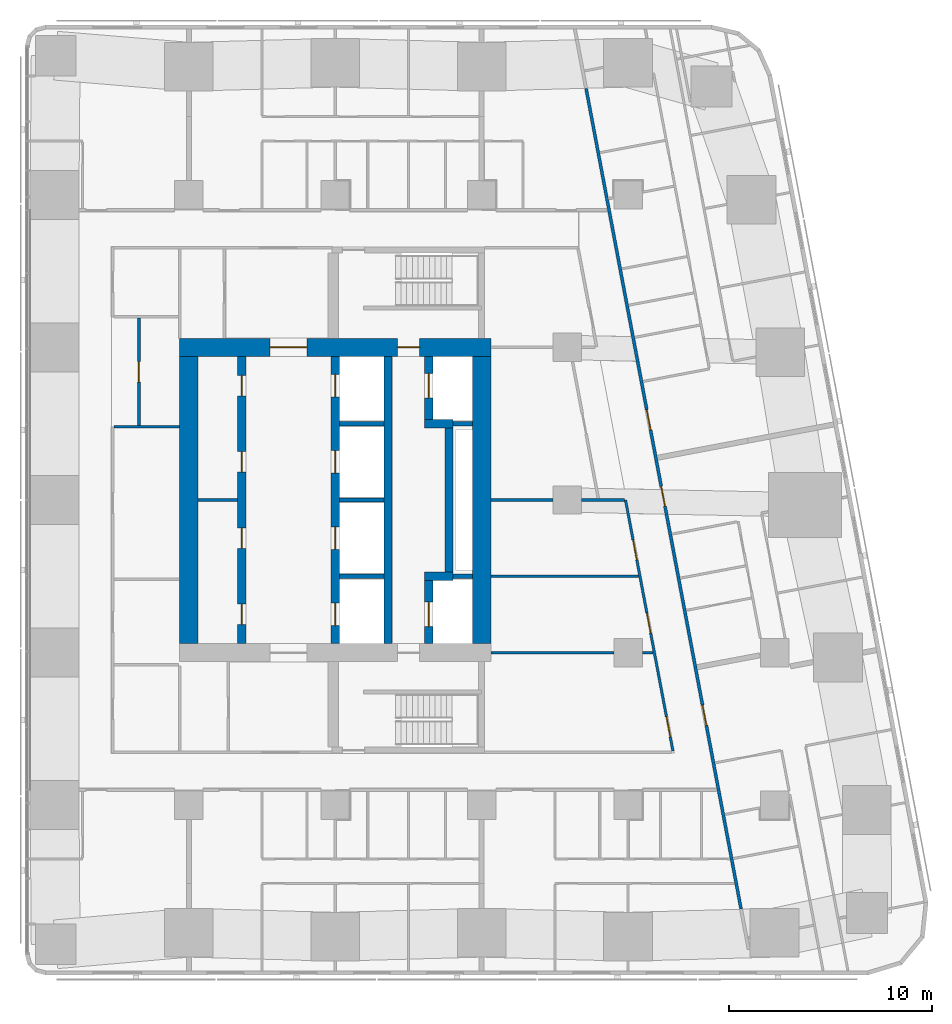
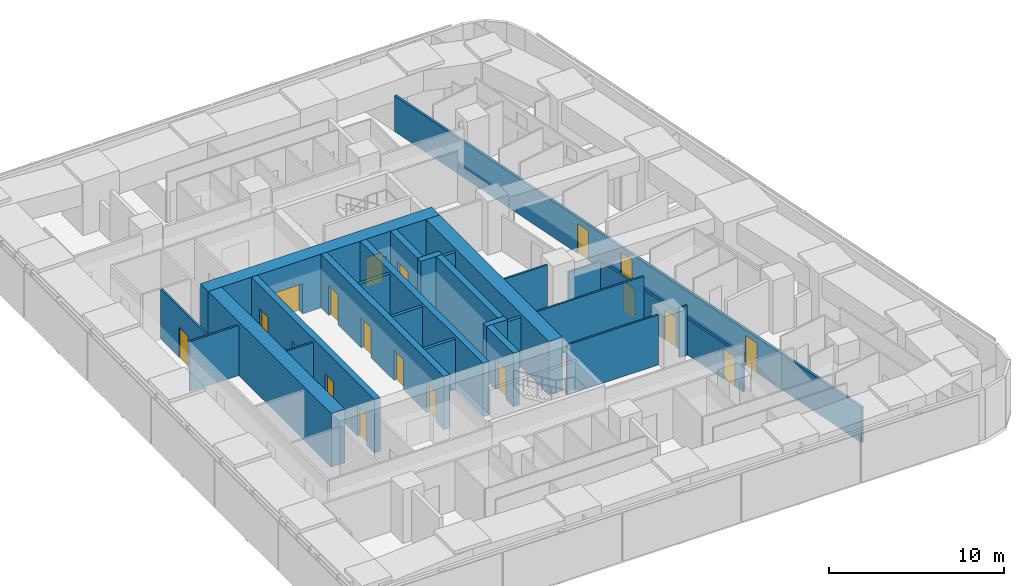
# One storey, part 12 of 19: 26 walls, 19 doors, 19 openings.
"""IFC4 building model written with IfcOpenShell, lengths in metres."""

from ifc_helpers import new_model, si_unit, direction, frame, frame_2d, origin, place, context, subcontext, project, spatial, rectangle, extrude, material, layer, layer_set, type_object, element, fill, save


model = new_model("IFC4")

# Units and contexts
model_context = context("Model", 3, precision=1e-05, world=origin(), true_north=direction((0.0, 1.0)))
body_context = subcontext(model_context, "Body", "Model", "MODEL_VIEW")
ifc_project = project(units=[si_unit("LENGTHUNIT", "METRE"), si_unit("AREAUNIT", "SQUARE_METRE"), si_unit("VOLUMEUNIT", "CUBIC_METRE"), si_unit("PLANEANGLEUNIT", "RADIAN"), si_unit("MASSUNIT", "GRAM", prefix="KILO")], contexts=[model_context])

# Site, building, storey
site_placement = place(None, origin())
site = spatial("IfcSite", under=ifc_project, at=site_placement, CompositionType="ELEMENT")
building_placement = place(site_placement, origin())
building = spatial("IfcBuilding", under=site, at=building_placement, Name="Sheger Commons Tower", CompositionType="ELEMENT")
storey_placement = place(building_placement, frame((0.0, 0.0, 197.449951171875)))
storey = spatial("IfcBuildingStorey", under=building, at=storey_placement, Name="L50", CompositionType="ELEMENT", Elevation=197.449951171875)

# Wall, openings, doors
ifc_material_1 = material(Name="Concrete C50/60", Category="concrete")
ifc_layer_1 = layer(ifc_material_1, 0.39990234375)
ifc_layer_set_1 = layer_set([ifc_layer_1], Name="CORE INNER WALL 400")
wall_type_1 = type_object("IfcWallType", Name="CORE INNER WALL 400", PredefinedType="SHEAR", material=ifc_layer_set_1)
wall_1_placement = place(storey_placement, frame((17.0, 15.449951171875, 0.0), z_axis=(0.0, 0.0, 1.0), x_axis=(0.0, 1.0, 0.0)))
wall_1 = element("IfcWall", 1, at=wall_1_placement, inside=storey, type_object=wall_type_1, Name="Core inner wall A L50", PredefinedType="SHEAR", context=body_context, shape_type="SweptSolid", body=[
    extrude(rectangle(XDim=14.10009765625, YDim=0.39990234375, at=frame_2d((7.050048828125, 0.0))), origin(), (0.0, 0.0, 1.0), 3.75),
])
opening_1_placement = place(wall_1_placement, frame((0.925048828125, 0.0, 0.0)))
opening_1 = element("IfcOpeningElement", 2, at=opening_1_placement, cuts=wall_1, Name="Opening D4", PredefinedType="OPENING", context=body_context, shape_type="SweptSolid", body=[
    extrude(rectangle(XDim=1.0, YDim=2.10009765625, at=frame_2d((0.5, 1.050048828125))), frame((0.0, 0.2099609375, 0.0), z_axis=(0.0, -1.0, 0.0), x_axis=(1.0, 0.0, 0.0)), (0.0, 0.0, 1.0), 0.419921875),
])
opening_2_placement = place(wall_1_placement, frame((4.675048828125, 0.0, 0.0)))
opening_2 = element("IfcOpeningElement", 3, at=opening_2_placement, cuts=wall_1, Name="Opening D4", PredefinedType="OPENING", context=body_context, shape_type="SweptSolid", body=[
    extrude(rectangle(XDim=1.0, YDim=2.10009765625, at=frame_2d((0.5, 1.050048828125))), frame((0.0, 0.2099609375, 0.0), z_axis=(0.0, -1.0, 0.0), x_axis=(1.0, 0.0, 0.0)), (0.0, 0.0, 1.0), 0.419921875),
])
opening_3_placement = place(wall_1_placement, frame((8.425048828125, 0.0, 0.0)))
opening_3 = element("IfcOpeningElement", 4, at=opening_3_placement, cuts=wall_1, Name="Opening D4", PredefinedType="OPENING", context=body_context, shape_type="SweptSolid", body=[
    extrude(rectangle(XDim=1.0, YDim=2.10009765625, at=frame_2d((0.5, 1.050048828125))), frame((0.0, 0.2099609375, 0.0), z_axis=(0.0, -1.0, 0.0), x_axis=(1.0, 0.0, 0.0)), (0.0, 0.0, 1.0), 0.419921875),
])
opening_4_placement = place(wall_1_placement, frame((12.175048828125, 0.0, 0.0)))
opening_4 = element("IfcOpeningElement", 5, at=opening_4_placement, cuts=wall_1, Name="Opening D4", PredefinedType="OPENING", context=body_context, shape_type="SweptSolid", body=[
    extrude(rectangle(XDim=1.0, YDim=2.10009765625, at=frame_2d((0.5, 1.050048828125))), frame((0.0, 0.2099609375, 0.0), z_axis=(0.0, -1.0, 0.0), x_axis=(1.0, 0.0, 0.0)), (0.0, 0.0, 1.0), 0.419921875),
])
ifc_material_2 = material(Name="Steel door set, fire rated", Category="steel")
door_type_1 = type_object("IfcDoorType", Name="SERVICE DOOR 1000x2100", OperationType="NOTDEFINED", PredefinedType="DOOR", material=ifc_material_2)
door_1_placement = place(opening_1_placement, origin())
door_1 = element("IfcDoor", 6, at=door_1_placement, inside=storey, type_object=door_type_1, Name="Residents' bulky goods store door", OperationType="SINGLE_SWING_LEFT", OverallHeight=2.10009765625, OverallWidth=1.0, PredefinedType="DOOR", context=body_context, shape_type="SweptSolid", body=[
    extrude(rectangle(XDim=1.0, YDim=2.10009765625, at=frame_2d((0.5, 1.050048828125))), frame((0.0, 0.02490234375, 0.0), z_axis=(0.0, -1.0, 0.0), x_axis=(1.0, 0.0, 0.0)), (0.0, 0.0, 1.0), 0.050048828125),
])
fill(opening_1, door_1)
door_2_placement = place(opening_2_placement, origin())
door_2 = element("IfcDoor", 7, at=door_2_placement, inside=storey, type_object=door_type_1, Name="Residents' bulky goods store door", OperationType="SINGLE_SWING_RIGHT", OverallHeight=2.10009765625, OverallWidth=1.0, PredefinedType="DOOR", context=body_context, shape_type="SweptSolid", body=[
    extrude(rectangle(XDim=1.0, YDim=2.10009765625, at=frame_2d((0.5, 1.050048828125))), frame((0.0, 0.02490234375, 0.0), z_axis=(0.0, -1.0, 0.0), x_axis=(1.0, 0.0, 0.0)), (0.0, 0.0, 1.0), 0.050048828125),
])
fill(opening_2, door_2)
door_3_placement = place(opening_3_placement, origin())
door_3 = element("IfcDoor", 8, at=door_3_placement, inside=storey, type_object=door_type_1, Name="Maintenance workshop door", OperationType="SINGLE_SWING_LEFT", OverallHeight=2.10009765625, OverallWidth=1.0, PredefinedType="DOOR", context=body_context, shape_type="SweptSolid", body=[
    extrude(rectangle(XDim=1.0, YDim=2.10009765625, at=frame_2d((0.5, 1.050048828125))), frame((0.0, 0.02490234375, 0.0), z_axis=(0.0, -1.0, 0.0), x_axis=(1.0, 0.0, 0.0)), (0.0, 0.0, 1.0), 0.050048828125),
])
fill(opening_3, door_3)
door_4_placement = place(opening_4_placement, origin())
door_4 = element("IfcDoor", 9, at=door_4_placement, inside=storey, type_object=door_type_1, Name="Maintenance workshop door", OperationType="SINGLE_SWING_RIGHT", OverallHeight=2.10009765625, OverallWidth=1.0, PredefinedType="DOOR", context=body_context, shape_type="SweptSolid", body=[
    extrude(rectangle(XDim=1.0, YDim=2.10009765625, at=frame_2d((0.5, 1.050048828125))), frame((0.0, 0.02490234375, 0.0), z_axis=(0.0, -1.0, 0.0), x_axis=(1.0, 0.0, 0.0)), (0.0, 0.0, 1.0), 0.050048828125),
])
fill(opening_4, door_4)

wall_2_placement = place(storey_placement, frame((21.60009765625, 15.449951171875, 0.0), z_axis=(0.0, 0.0, 1.0), x_axis=(0.0, 1.0, 0.0)))
wall_2 = element("IfcWall", 10, at=wall_2_placement, inside=storey, type_object=wall_type_1, Name="Core inner wall L L50", PredefinedType="SHEAR", context=body_context, shape_type="SweptSolid", body=[
    extrude(rectangle(XDim=14.10009765625, YDim=0.39990234375, at=frame_2d((7.050048828125, 0.0))), origin(), (0.0, 0.0, 1.0), 3.75),
])
opening_5_placement = place(wall_2_placement, frame((0.875, 0.0, 0.0)))
opening_5 = element("IfcOpeningElement", 11, at=opening_5_placement, cuts=wall_2, Name="Opening LD", PredefinedType="OPENING", context=body_context, shape_type="SweptSolid", body=[
    extrude(rectangle(XDim=1.10009765625, YDim=2.10009765625, at=frame_2d((0.550048828125, 1.050048828125))), frame((0.0, 0.2099609375, 0.0), z_axis=(0.0, -1.0, 0.0), x_axis=(1.0, 0.0, 0.0)), (0.0, 0.0, 1.0), 0.419921875),
])
opening_6_placement = place(wall_2_placement, frame((4.625, 0.0, 0.0)))
opening_6 = element("IfcOpeningElement", 12, at=opening_6_placement, cuts=wall_2, Name="Opening LD", PredefinedType="OPENING", context=body_context, shape_type="SweptSolid", body=[
    extrude(rectangle(XDim=1.10009765625, YDim=2.10009765625, at=frame_2d((0.550048828125, 1.050048828125))), frame((0.0, 0.2099609375, 0.0), z_axis=(0.0, -1.0, 0.0), x_axis=(1.0, 0.0, 0.0)), (0.0, 0.0, 1.0), 0.419921875),
])
opening_7_placement = place(wall_2_placement, frame((8.375, 0.0, 0.0)))
opening_7 = element("IfcOpeningElement", 13, at=opening_7_placement, cuts=wall_2, Name="Opening LD", PredefinedType="OPENING", context=body_context, shape_type="SweptSolid", body=[
    extrude(rectangle(XDim=1.10009765625, YDim=2.10009765625, at=frame_2d((0.550048828125, 1.050048828125))), frame((0.0, 0.2099609375, 0.0), z_axis=(0.0, -1.0, 0.0), x_axis=(1.0, 0.0, 0.0)), (0.0, 0.0, 1.0), 0.419921875),
])
opening_8_placement = place(wall_2_placement, frame((12.125, 0.0, 0.0)))
opening_8 = element("IfcOpeningElement", 14, at=opening_8_placement, cuts=wall_2, Name="Opening LD", PredefinedType="OPENING", context=body_context, shape_type="SweptSolid", body=[
    extrude(rectangle(XDim=1.10009765625, YDim=2.10009765625, at=frame_2d((0.550048828125, 1.050048828125))), frame((0.0, 0.2099609375, 0.0), z_axis=(0.0, -1.0, 0.0), x_axis=(1.0, 0.0, 0.0)), (0.0, 0.0, 1.0), 0.419921875),
])
ifc_material_3 = material(Name="Steel door set, fire rated", Category="steel")
door_type_2 = type_object("IfcDoorType", Name="LIFT LANDING DOOR 1100x2100", OperationType="DOUBLE_DOOR_SLIDING", PredefinedType="DOOR", material=ifc_material_3)
door_5_placement = place(opening_5_placement, origin())
door_5 = element("IfcDoor", 15, at=door_5_placement, inside=storey, type_object=door_type_2, Name="Lift LB1 landing door", OperationType="DOUBLE_DOOR_SLIDING", OverallHeight=2.10009765625, OverallWidth=1.10009765625, PredefinedType="DOOR", context=body_context, shape_type="SweptSolid", body=[
    extrude(rectangle(XDim=1.10009765625, YDim=2.10009765625, at=frame_2d((0.550048828125, 1.050048828125))), frame((0.0, 0.02490234375, 0.0), z_axis=(0.0, -1.0, 0.0), x_axis=(1.0, 0.0, 0.0)), (0.0, 0.0, 1.0), 0.050048828125),
])
fill(opening_5, door_5)
door_6_placement = place(opening_6_placement, origin())
door_6 = element("IfcDoor", 16, at=door_6_placement, inside=storey, type_object=door_type_2, Name="Lift LB2 landing door", OperationType="DOUBLE_DOOR_SLIDING", OverallHeight=2.10009765625, OverallWidth=1.10009765625, PredefinedType="DOOR", context=body_context, shape_type="SweptSolid", body=[
    extrude(rectangle(XDim=1.10009765625, YDim=2.10009765625, at=frame_2d((0.550048828125, 1.050048828125))), frame((0.0, 0.02490234375, 0.0), z_axis=(0.0, -1.0, 0.0), x_axis=(1.0, 0.0, 0.0)), (0.0, 0.0, 1.0), 0.050048828125),
])
fill(opening_6, door_6)
door_7_placement = place(opening_7_placement, origin())
door_7 = element("IfcDoor", 17, at=door_7_placement, inside=storey, type_object=door_type_2, Name="Lift LB3 landing door", OperationType="DOUBLE_DOOR_SLIDING", OverallHeight=2.10009765625, OverallWidth=1.10009765625, PredefinedType="DOOR", context=body_context, shape_type="SweptSolid", body=[
    extrude(rectangle(XDim=1.10009765625, YDim=2.10009765625, at=frame_2d((0.550048828125, 1.050048828125))), frame((0.0, 0.02490234375, 0.0), z_axis=(0.0, -1.0, 0.0), x_axis=(1.0, 0.0, 0.0)), (0.0, 0.0, 1.0), 0.050048828125),
])
fill(opening_7, door_7)
door_8_placement = place(opening_8_placement, origin())
door_8 = element("IfcDoor", 18, at=door_8_placement, inside=storey, type_object=door_type_2, Name="Lift LB4 landing door", OperationType="DOUBLE_DOOR_SLIDING", OverallHeight=2.10009765625, OverallWidth=1.10009765625, PredefinedType="DOOR", context=body_context, shape_type="SweptSolid", body=[
    extrude(rectangle(XDim=1.10009765625, YDim=2.10009765625, at=frame_2d((0.550048828125, 1.050048828125))), frame((0.0, 0.02490234375, 0.0), z_axis=(0.0, -1.0, 0.0), x_axis=(1.0, 0.0, 0.0)), (0.0, 0.0, 1.0), 0.050048828125),
])
fill(opening_8, door_8)

# Wall
wall_3_placement = place(storey_placement, frame((24.199951171875, 15.449951171875, 0.0), z_axis=(0.0, 0.0, 1.0), x_axis=(0.0, 1.0, 0.0)))
element("IfcWall", 19, at=wall_3_placement, inside=storey, type_object=wall_type_1, Name="Core inner wall B L50", PredefinedType="SHEAR", context=body_context, shape_type="SweptSolid", body=[
    extrude(rectangle(XDim=14.10009765625, YDim=0.39990234375, at=frame_2d((7.050048828125, 0.0))), origin(), (0.0, 0.0, 1.0), 3.75),
])

# Wall, opening, door
wall_4_placement = place(storey_placement, frame((26.199951171875, 15.449951171875, 0.0), z_axis=(0.0, 0.0, 1.0), x_axis=(0.0, 1.0, 0.0)))
wall_4 = element("IfcWall", 20, at=wall_4_placement, inside=storey, type_object=wall_type_1, Name="Core inner wall F L50", PredefinedType="SHEAR", context=body_context, shape_type="SweptSolid", body=[
    extrude(rectangle(XDim=3.10009765625, YDim=0.39990234375, at=frame_2d((1.550048828125, 0.0))), origin(), (0.0, 0.0, 1.0), 3.75),
])
opening_9_placement = place(wall_4_placement, frame((0.824951171875, 0.0, 0.0)))
opening_9 = element("IfcOpeningElement", 21, at=opening_9_placement, cuts=wall_4, Name="Opening LD2", PredefinedType="OPENING", context=body_context, shape_type="SweptSolid", body=[
    extrude(rectangle(XDim=1.199951171875, YDim=2.10009765625, at=frame_2d((0.60009765625, 1.050048828125))), frame((0.0, 0.2099609375, 0.0), z_axis=(0.0, -1.0, 0.0), x_axis=(1.0, 0.0, 0.0)), (0.0, 0.0, 1.0), 0.419921875),
])
ifc_material_4 = material(Name="Steel door set, fire rated", Category="steel")
door_type_3 = type_object("IfcDoorType", Name="FIREFIGHTING LIFT LANDING DOOR 1200x2100", OperationType="DOUBLE_DOOR_SLIDING", PredefinedType="DOOR", material=ifc_material_4)
door_9_placement = place(opening_9_placement, origin())
door_9 = element("IfcDoor", 22, at=door_9_placement, inside=storey, type_object=door_type_3, Name="Lift FL1 landing door", OperationType="DOUBLE_DOOR_SLIDING", OverallHeight=2.10009765625, OverallWidth=1.199951171875, PredefinedType="DOOR", context=body_context, shape_type="SweptSolid", body=[
    extrude(rectangle(XDim=1.199951171875, YDim=2.10009765625, at=frame_2d((0.60009765625, 1.050048828125))), frame((0.0, 0.02490234375, 0.0), z_axis=(0.0, -1.0, 0.0), x_axis=(1.0, 0.0, 0.0)), (0.0, 0.0, 1.0), 0.050048828125),
])
fill(opening_9, door_9)

# Walls
wall_5_placement = place(storey_placement, frame((26.0, 18.75, 0.0), z_axis=(0.0, 0.0, 1.0), x_axis=(1.0, 0.0, 0.0)))
element("IfcWall", 23, at=wall_5_placement, inside=storey, type_object=wall_type_1, Name="Core inner wall F south return L50", PredefinedType="SHEAR", context=body_context, shape_type="SweptSolid", body=[
    extrude(rectangle(XDim=1.39990234375, YDim=0.39990234375, at=frame_2d((0.699951171875, 0.0))), origin(), (0.0, 0.0, 1.0), 3.75),
])
wall_6_placement = place(storey_placement, frame((27.199951171875, 18.949951171875, 0.0), z_axis=(0.0, 0.0, 1.0), x_axis=(0.0, 1.0, 0.0)))
element("IfcWall", 24, at=wall_6_placement, inside=storey, type_object=wall_type_1, Name="Core inner wall F middle L50", PredefinedType="SHEAR", context=body_context, shape_type="SweptSolid", body=[
    extrude(rectangle(XDim=7.10009765625, YDim=0.39990234375, at=frame_2d((3.550048828125, 0.0))), origin(), (0.0, 0.0, 1.0), 3.75),
])
wall_7_placement = place(storey_placement, frame((26.0, 26.25, 0.0), z_axis=(0.0, 0.0, 1.0), x_axis=(1.0, 0.0, 0.0)))
element("IfcWall", 25, at=wall_7_placement, inside=storey, type_object=wall_type_1, Name="Core inner wall F north return L50", PredefinedType="SHEAR", context=body_context, shape_type="SweptSolid", body=[
    extrude(rectangle(XDim=1.39990234375, YDim=0.39990234375, at=frame_2d((0.699951171875, 0.0))), origin(), (0.0, 0.0, 1.0), 3.75),
])

# Wall, opening, door
wall_8_placement = place(storey_placement, frame((26.199951171875, 26.449951171875, 0.0), z_axis=(0.0, 0.0, 1.0), x_axis=(0.0, 1.0, 0.0)))
wall_8 = element("IfcWall", 26, at=wall_8_placement, inside=storey, type_object=wall_type_1, Name="Core inner wall F north L50", PredefinedType="SHEAR", context=body_context, shape_type="SweptSolid", body=[
    extrude(rectangle(XDim=3.10009765625, YDim=0.39990234375, at=frame_2d((1.550048828125, 0.0))), origin(), (0.0, 0.0, 1.0), 3.75),
])
opening_10_placement = place(wall_8_placement, frame((1.074951171875, 0.0, 0.0)))
opening_10 = element("IfcOpeningElement", 27, at=opening_10_placement, cuts=wall_8, Name="Opening LD2", PredefinedType="OPENING", context=body_context, shape_type="SweptSolid", body=[
    extrude(rectangle(XDim=1.199951171875, YDim=2.10009765625, at=frame_2d((0.60009765625, 1.050048828125))), frame((0.0, 0.2099609375, 0.0), z_axis=(0.0, -1.0, 0.0), x_axis=(1.0, 0.0, 0.0)), (0.0, 0.0, 1.0), 0.419921875),
])
door_10_placement = place(opening_10_placement, origin())
door_10 = element("IfcDoor", 28, at=door_10_placement, inside=storey, type_object=door_type_3, Name="Lift FL2 landing door", OperationType="DOUBLE_DOOR_SLIDING", OverallHeight=2.10009765625, OverallWidth=1.199951171875, PredefinedType="DOOR", context=body_context, shape_type="SweptSolid", body=[
    extrude(rectangle(XDim=1.199951171875, YDim=2.10009765625, at=frame_2d((0.60009765625, 1.050048828125))), frame((0.0, 0.02490234375, 0.0), z_axis=(0.0, -1.0, 0.0), x_axis=(1.0, 0.0, 0.0)), (0.0, 0.0, 1.0), 0.050048828125),
])
fill(opening_10, door_10)

# Wall, openings, doors
ifc_material_5 = material(Name="Concrete C50/60", Category="concrete")
ifc_layer_2 = layer(ifc_material_5, 0.89990234375)
ifc_layer_set_2 = layer_set([ifc_layer_2], Name="CORE WALL 900")
wall_type_2 = type_object("IfcWallType", Name="CORE WALL 900", PredefinedType="SHEAR", material=ifc_layer_set_2)
wall_9_placement = place(storey_placement, frame((13.949951171875, 30.0, 0.0), z_axis=(0.0, 0.0, 1.0), x_axis=(1.0, 0.0, 0.0)))
wall_9 = element("IfcWall", 29, at=wall_9_placement, inside=storey, type_object=wall_type_2, Name="Core wall north L50", PredefinedType="SHEAR", context=body_context, shape_type="SweptSolid", body=[
    extrude(rectangle(XDim=15.300048828125, YDim=0.89990234375, at=frame_2d((7.64990234375, 0.0))), origin(), (0.0, 0.0, 1.0), 3.75),
])
opening_11_placement = place(wall_9_placement, frame((4.449951171875, 0.0, 0.0)))
opening_11 = element("IfcOpeningElement", 30, at=opening_11_placement, cuts=wall_9, Name="Opening D6", PredefinedType="OPENING", context=body_context, shape_type="SweptSolid", body=[
    extrude(rectangle(XDim=1.800048828125, YDim=2.10009765625, at=frame_2d((0.89990234375, 1.050048828125))), frame((0.0, 0.4599609375, 0.0), z_axis=(0.0, -1.0, 0.0), x_axis=(1.0, 0.0, 0.0)), (0.0, 0.0, 1.0), 0.919921875),
])
opening_12_placement = place(wall_9_placement, frame((10.699951171875, 0.0, 0.0)))
opening_12 = element("IfcOpeningElement", 31, at=opening_12_placement, cuts=wall_9, Name="Opening D5", PredefinedType="OPENING", context=body_context, shape_type="SweptSolid", body=[
    extrude(rectangle(XDim=1.10009765625, YDim=2.10009765625, at=frame_2d((0.550048828125, 1.050048828125))), frame((0.0, 0.4599609375, 0.0), z_axis=(0.0, -1.0, 0.0), x_axis=(1.0, 0.0, 0.0)), (0.0, 0.0, 1.0), 0.919921875),
])
ifc_material_6 = material(Name="Steel door set, fire rated", Category="steel")
door_type_4 = type_object("IfcDoorType", Name="LOBBY DOUBLE DOOR 1800x2100", OperationType="DOUBLE_DOOR_SINGLE_SWING", PredefinedType="DOOR", material=ifc_material_6)
door_11_placement = place(opening_11_placement, origin())
door_11 = element("IfcDoor", 32, at=door_11_placement, inside=storey, type_object=door_type_4, Name="Lift lobby door", OperationType="DOUBLE_DOOR_SINGLE_SWING", OverallHeight=2.10009765625, OverallWidth=1.800048828125, PredefinedType="DOOR", context=body_context, shape_type="SweptSolid", body=[
    extrude(rectangle(XDim=1.800048828125, YDim=2.10009765625, at=frame_2d((0.89990234375, 1.050048828125))), frame((0.0, 0.02490234375, 0.0), z_axis=(0.0, -1.0, 0.0), x_axis=(1.0, 0.0, 0.0)), (0.0, 0.0, 1.0), 0.050048828125),
])
fill(opening_11, door_11)
ifc_material_7 = material(Name="Steel door set, fire rated", Category="steel")
door_type_5 = type_object("IfcDoorType", Name="STAIR DOOR 1100x2100", OperationType="NOTDEFINED", PredefinedType="DOOR", material=ifc_material_7)
door_12_placement = place(opening_12_placement, origin())
door_12 = element("IfcDoor", 33, at=door_12_placement, inside=storey, type_object=door_type_5, Name="Fire-fighting lobby door", OperationType="SINGLE_SWING_LEFT", OverallHeight=2.10009765625, OverallWidth=1.10009765625, PredefinedType="DOOR", context=body_context, shape_type="SweptSolid", body=[
    extrude(rectangle(XDim=1.10009765625, YDim=2.10009765625, at=frame_2d((0.550048828125, 1.050048828125))), frame((0.0, 0.02490234375, 0.0), z_axis=(0.0, -1.0, 0.0), x_axis=(1.0, 0.0, 0.0)), (0.0, 0.0, 1.0), 0.050048828125),
])
fill(opening_12, door_12)

# Walls
for number, where, z_axis, x_axis, name in (
    (34, (14.39990234375, 15.449951171875, 0.0), (0.0, 0.0, 1.0), (0.0, 1.0, 0.0), "Core wall west L50"),
    (35, (28.800048828125, 15.449951171875, 0.0), (0.0, 0.0, 1.0), (0.0, 1.0, 0.0), "Core wall east L50"),
):
    element("IfcWall", number, at=place(storey_placement, frame(where, z_axis=z_axis, x_axis=x_axis)), inside=storey, type_object=wall_type_2, Name=name, PredefinedType="SHEAR", context=body_context, shape_type="SweptSolid", body=[
        extrude(rectangle(XDim=14.10009765625, YDim=0.89990234375, at=frame_2d((7.050048828125, 0.0))), origin(), (0.0, 0.0, 1.0), 3.75),
    ])

# Wall, openings, doors
ifc_material_8 = material(Name="Hollow concrete block masonry, skimmed both sides", Category="masonry")
ifc_layer_3 = layer(ifc_material_8, 0.14990234375)
ifc_layer_set_3 = layer_set([ifc_layer_3], Name="CORRIDOR WALL 150")
wall_type_3 = type_object("IfcWallType", Name="CORRIDOR WALL 150", PredefinedType="SOLIDWALL", material=ifc_layer_set_3)
wall_10_placement = place(storey_placement, frame((33.93310546875, 42.72998046875, 0.0), z_axis=(0.0, 0.0, 1.0), x_axis=(0.185595417643, -0.982626246825, 0.0)))
wall_10 = element("IfcWall", 36, at=wall_10_placement, inside=storey, type_object=wall_type_3, Name="Corridor wall L50", PredefinedType="SOLIDWALL", context=body_context, shape_type="SweptSolid", body=[
    extrude(rectangle(XDim=41.051025390625, YDim=0.14990234375, at=frame_2d((20.525390625, 0.0))), origin(), (0.0, 0.0, 1.0), 2.5),
])
opening_13_placement = place(wall_10_placement, frame((16.08203125, 0.0, 0.0)))
opening_13 = element("IfcOpeningElement", 37, at=opening_13_placement, cuts=wall_10, Name="Opening D1", PredefinedType="OPENING", context=body_context, shape_type="SweptSolid", body=[
    extrude(rectangle(XDim=1.0, YDim=2.10009765625, at=frame_2d((0.5, 1.050048828125))), frame((0.0, 0.0849609375, 0.0), z_axis=(0.0, -1.0, 0.0), x_axis=(1.0, 0.0, 0.0)), (0.0, 0.0, 1.0), 0.169921875),
])
opening_14_placement = place(wall_10_placement, frame((19.89794921875, 0.0, 0.0)))
opening_14 = element("IfcOpeningElement", 38, at=opening_14_placement, cuts=wall_10, Name="Opening D1", PredefinedType="OPENING", context=body_context, shape_type="SweptSolid", body=[
    extrude(rectangle(XDim=1.0, YDim=2.10009765625, at=frame_2d((0.5, 1.050048828125))), frame((0.0, 0.0849609375, 0.0), z_axis=(0.0, -1.0, 0.0), x_axis=(1.0, 0.0, 0.0)), (0.0, 0.0, 1.0), 0.169921875),
])
opening_15_placement = place(wall_10_placement, frame((30.862060546875, 0.0, 0.0)))
opening_15 = element("IfcOpeningElement", 39, at=opening_15_placement, cuts=wall_10, Name="Opening D1", PredefinedType="OPENING", context=body_context, shape_type="SweptSolid", body=[
    extrude(rectangle(XDim=1.0, YDim=2.10009765625, at=frame_2d((0.5, 1.050048828125))), frame((0.0, 0.0849609375, 0.0), z_axis=(0.0, -1.0, 0.0), x_axis=(1.0, 0.0, 0.0)), (0.0, 0.0, 1.0), 0.169921875),
])
ifc_material_9 = material(Name="Steel door set, fire rated", Category="steel")
door_type_6 = type_object("IfcDoorType", Name="FLAT ENTRANCE DOOR 1000x2100", OperationType="NOTDEFINED", PredefinedType="DOOR", material=ifc_material_9)
door_13_placement = place(opening_13_placement, origin())
door_13 = element("IfcDoor", 40, at=door_13_placement, inside=storey, type_object=door_type_6, Name="Flat entrance door", OperationType="SINGLE_SWING_LEFT", OverallHeight=2.10009765625, OverallWidth=1.0, PredefinedType="DOOR", context=body_context, shape_type="SweptSolid", body=[
    extrude(rectangle(XDim=1.0, YDim=2.10009765625, at=frame_2d((0.5, 1.050048828125))), frame((0.0, 0.02490234375, 0.0), z_axis=(0.0, -1.0, 0.0), x_axis=(1.0, 0.0, 0.0)), (0.0, 0.0, 1.0), 0.050048828125),
])
fill(opening_13, door_13)
door_14_placement = place(opening_14_placement, origin())
door_14 = element("IfcDoor", 41, at=door_14_placement, inside=storey, type_object=door_type_6, Name="Flat entrance door", OperationType="SINGLE_SWING_RIGHT", OverallHeight=2.10009765625, OverallWidth=1.0, PredefinedType="DOOR", context=body_context, shape_type="SweptSolid", body=[
    extrude(rectangle(XDim=1.0, YDim=2.10009765625, at=frame_2d((0.5, 1.050048828125))), frame((0.0, 0.02490234375, 0.0), z_axis=(0.0, -1.0, 0.0), x_axis=(1.0, 0.0, 0.0)), (0.0, 0.0, 1.0), 0.050048828125),
])
fill(opening_14, door_14)
door_15_placement = place(opening_15_placement, origin())
door_15 = element("IfcDoor", 42, at=door_15_placement, inside=storey, type_object=door_type_6, Name="Flat entrance door", OperationType="SINGLE_SWING_LEFT", OverallHeight=2.10009765625, OverallWidth=1.0, PredefinedType="DOOR", context=body_context, shape_type="SweptSolid", body=[
    extrude(rectangle(XDim=1.0, YDim=2.10009765625, at=frame_2d((0.5, 1.050048828125))), frame((0.0, 0.02490234375, 0.0), z_axis=(0.0, -1.0, 0.0), x_axis=(1.0, 0.0, 0.0)), (0.0, 0.0, 1.0), 0.050048828125),
])
fill(opening_15, door_15)

# Wall, opening, door
ifc_material_10 = material(Name="Gypsum board on steel studs, two layers each side, fire rated", Category="steel")
ifc_layer_4 = layer(ifc_material_10, 0.125)
ifc_layer_set_4 = layer_set([ifc_layer_4], Name="SERVICE WALL 125")
wall_type_4 = type_object("IfcWallType", Name="SERVICE WALL 125", PredefinedType="PARTITIONING", material=ifc_layer_set_4)
wall_11_placement = place(storey_placement, frame((11.949951171875, 26.1630859375, 0.0), z_axis=(0.0, 0.0, 1.0), x_axis=(0.0, 1.0, 0.0)))
wall_11 = element("IfcWall", 43, at=wall_11_placement, inside=storey, type_object=wall_type_4, Name="Service room wall L50", PredefinedType="PARTITIONING", context=body_context, shape_type="SweptSolid", body=[
    extrude(rectangle(XDim=5.27490234375, YDim=0.125, at=frame_2d((2.637451171875, 0.0))), origin(), (0.0, 0.0, 1.0), 3.5),
])
opening_16_placement = place(wall_11_placement, frame((2.136962890625, 0.0, 0.0)))
opening_16 = element("IfcOpeningElement", 44, at=opening_16_placement, cuts=wall_11, Name="Opening D4", PredefinedType="OPENING", context=body_context, shape_type="SweptSolid", body=[
    extrude(rectangle(XDim=1.0, YDim=2.10009765625, at=frame_2d((0.5, 1.050048828125))), frame((0.0, 0.072509765625, 0.0), z_axis=(0.0, -1.0, 0.0), x_axis=(1.0, 0.0, 0.0)), (0.0, 0.0, 1.0), 0.14501953125),
])
door_16_placement = place(opening_16_placement, origin())
door_16 = element("IfcDoor", 45, at=door_16_placement, inside=storey, type_object=door_type_1, Name="Laundry and drying room door", OperationType="SINGLE_SWING_RIGHT", OverallHeight=2.10009765625, OverallWidth=1.0, PredefinedType="DOOR", context=body_context, shape_type="SweptSolid", body=[
    extrude(rectangle(XDim=1.0, YDim=2.10009765625, at=frame_2d((0.5, 1.050048828125))), frame((0.0, 0.02490234375, 0.0), z_axis=(0.0, -1.0, 0.0), x_axis=(1.0, 0.0, 0.0)), (0.0, 0.0, 1.0), 0.050048828125),
])
fill(opening_16, door_16)

# Wall
wall_12_placement = place(storey_placement, frame((10.712890625, 26.10009765625, 0.0), z_axis=(0.0, 0.0, 1.0), x_axis=(1.0, 0.0, 0.0)))
element("IfcWall", 46, at=wall_12_placement, inside=storey, type_object=wall_type_4, Name="Service room wall L50", PredefinedType="PARTITIONING", context=body_context, shape_type="SweptSolid", body=[
    extrude(rectangle(XDim=3.237060546875, YDim=0.125, at=frame_2d((1.61865234375, 0.0))), origin(), (0.0, 0.0, 1.0), 3.5),
])

# Wall, openings, doors
wall_13_placement = place(storey_placement, frame((38.201904296875, 10.1630859375, 0.0), z_axis=(0.0, 0.0, 1.0), x_axis=(-0.185645577403, 0.982616771479, 0.0)))
wall_13 = element("IfcWall", 47, at=wall_13_placement, inside=storey, type_object=wall_type_4, Name="Service room wall L50", PredefinedType="PARTITIONING", context=body_context, shape_type="SweptSolid", body=[
    extrude(rectangle(XDim=12.55517578125, YDim=0.125, at=frame_2d((6.277587890625, 0.0))), origin(), (0.0, 0.0, 1.0), 2.5),
])
opening_17_placement = place(wall_13_placement, frame((0.7080078125, 0.0, 0.0)))
opening_17 = element("IfcOpeningElement", 48, at=opening_17_placement, cuts=wall_13, Name="Opening D4", PredefinedType="OPENING", context=body_context, shape_type="SweptSolid", body=[
    extrude(rectangle(XDim=1.0, YDim=2.10009765625, at=frame_2d((0.5, 1.050048828125))), frame((0.0, 0.072509765625, 0.0), z_axis=(0.0, -1.0, 0.0), x_axis=(1.0, 0.0, 0.0)), (0.0, 0.0, 1.0), 0.14501953125),
])
opening_18_placement = place(wall_13_placement, frame((5.89990234375, 0.0, 0.0)))
opening_18 = element("IfcOpeningElement", 49, at=opening_18_placement, cuts=wall_13, Name="Opening D4", PredefinedType="OPENING", context=body_context, shape_type="SweptSolid", body=[
    extrude(rectangle(XDim=1.0, YDim=2.10009765625, at=frame_2d((0.5, 1.050048828125))), frame((0.0, 0.072509765625, 0.0), z_axis=(0.0, -1.0, 0.0), x_axis=(1.0, 0.0, 0.0)), (0.0, 0.0, 1.0), 0.14501953125),
])
opening_19_placement = place(wall_13_placement, frame((9.56201171875, 0.0, 0.0)))
opening_19 = element("IfcOpeningElement", 50, at=opening_19_placement, cuts=wall_13, Name="Opening D4", PredefinedType="OPENING", context=body_context, shape_type="SweptSolid", body=[
    extrude(rectangle(XDim=1.0, YDim=2.10009765625, at=frame_2d((0.5, 1.050048828125))), frame((0.0, 0.072509765625, 0.0), z_axis=(0.0, -1.0, 0.0), x_axis=(1.0, 0.0, 0.0)), (0.0, 0.0, 1.0), 0.14501953125),
])
door_17_placement = place(opening_17_placement, origin())
door_17 = element("IfcDoor", 51, at=door_17_placement, inside=storey, type_object=door_type_1, Name="Residents' study room door", OperationType="SINGLE_SWING_LEFT", OverallHeight=2.10009765625, OverallWidth=1.0, PredefinedType="DOOR", context=body_context, shape_type="SweptSolid", body=[
    extrude(rectangle(XDim=1.0, YDim=2.10009765625, at=frame_2d((0.5, 1.050048828125))), frame((0.0, 0.02490234375, 0.0), z_axis=(0.0, -1.0, 0.0), x_axis=(1.0, 0.0, 0.0)), (0.0, 0.0, 1.0), 0.050048828125),
])
fill(opening_17, door_17)
door_18_placement = place(opening_18_placement, origin())
door_18 = element("IfcDoor", 52, at=door_18_placement, inside=storey, type_object=door_type_1, Name="Residents' hobby room door", OperationType="SINGLE_SWING_LEFT", OverallHeight=2.10009765625, OverallWidth=1.0, PredefinedType="DOOR", context=body_context, shape_type="SweptSolid", body=[
    extrude(rectangle(XDim=1.0, YDim=2.10009765625, at=frame_2d((0.5, 1.050048828125))), frame((0.0, 0.02490234375, 0.0), z_axis=(0.0, -1.0, 0.0), x_axis=(1.0, 0.0, 0.0)), (0.0, 0.0, 1.0), 0.050048828125),
])
fill(opening_18, door_18)
door_19_placement = place(opening_19_placement, origin())
door_19 = element("IfcDoor", 53, at=door_19_placement, inside=storey, type_object=door_type_1, Name="Bicycle and pram store door", OperationType="SINGLE_SWING_LEFT", OverallHeight=2.10009765625, OverallWidth=1.0, PredefinedType="DOOR", context=body_context, shape_type="SweptSolid", body=[
    extrude(rectangle(XDim=1.0, YDim=2.10009765625, at=frame_2d((0.5, 1.050048828125))), frame((0.0, 0.02490234375, 0.0), z_axis=(0.0, -1.0, 0.0), x_axis=(1.0, 0.0, 0.0)), (0.0, 0.0, 1.0), 0.050048828125),
])
fill(opening_19, door_19)

# Walls
wall_14_placement = place(storey_placement, frame((29.25, 15.0, 0.0), z_axis=(0.0, 0.0, 1.0), x_axis=(1.0, 0.0, 0.0)))
element("IfcWall", 54, at=wall_14_placement, inside=storey, type_object=wall_type_4, Name="Service room wall L50", PredefinedType="PARTITIONING", context=body_context, shape_type="SweptSolid", body=[
    extrude(rectangle(XDim=6.049072265625, YDim=0.125, at=frame_2d((3.0244140625, 0.0))), origin(), (0.0, 0.0, 1.0), 3.5),
])
wall_15_placement = place(storey_placement, frame((36.700927734375, 15.0, 0.0), z_axis=(0.0, 0.0, 1.0), x_axis=(1.0, 0.0, 0.0)))
element("IfcWall", 55, at=wall_15_placement, inside=storey, type_object=wall_type_4, Name="Service room wall L50", PredefinedType="PARTITIONING", context=body_context, shape_type="SweptSolid", body=[
    extrude(rectangle(XDim=0.511962890625, YDim=0.125, at=frame_2d((0.255859375, 0.0))), origin(), (0.0, 0.0, 1.0), 3.5),
])
wall_16_placement = place(storey_placement, frame((29.25, 18.75, 0.0), z_axis=(0.0, 0.0, 1.0), x_axis=(1.0, 0.0, 0.0)))
element("IfcWall", 56, at=wall_16_placement, inside=storey, type_object=wall_type_4, Name="Service room wall L50", PredefinedType="PARTITIONING", context=body_context, shape_type="SweptSolid", body=[
    extrude(rectangle(XDim=7.25390625, YDim=0.125, at=frame_2d((3.626953125, 0.0))), origin(), (0.0, 0.0, 1.0), 3.5),
])
wall_17_placement = place(storey_placement, frame((29.25, 22.5, 0.0), z_axis=(0.0, 0.0, 1.0), x_axis=(1.0, 0.0, 0.0)))
element("IfcWall", 57, at=wall_17_placement, inside=storey, type_object=wall_type_4, Name="Service room wall L50", PredefinedType="PARTITIONING", context=body_context, shape_type="SweptSolid", body=[
    extrude(rectangle(XDim=3.049072265625, YDim=0.125, at=frame_2d((1.5244140625, 0.0))), origin(), (0.0, 0.0, 1.0), 3.5),
])
wall_18_placement = place(storey_placement, frame((33.700927734375, 22.5, 0.0), z_axis=(0.0, 0.0, 1.0), x_axis=(1.0, 0.0, 0.0)))
element("IfcWall", 58, at=wall_18_placement, inside=storey, type_object=wall_type_4, Name="Service room wall L50", PredefinedType="PARTITIONING", context=body_context, shape_type="SweptSolid", body=[
    extrude(rectangle(XDim=2.109130859375, YDim=0.125, at=frame_2d((1.0546875, 0.0))), origin(), (0.0, 0.0, 1.0), 2.5),
])
wall_19_placement = place(storey_placement, frame((14.85009765625, 22.5, 0.0), z_axis=(0.0, 0.0, 1.0), x_axis=(1.0, 0.0, 0.0)))
element("IfcWall", 59, at=wall_19_placement, inside=storey, type_object=wall_type_4, Name="Service room wall L50", PredefinedType="PARTITIONING", context=body_context, shape_type="SweptSolid", body=[
    extrude(rectangle(XDim=1.949951171875, YDim=0.125, at=frame_2d((0.97509765625, 0.0))), origin(), (0.0, 0.0, 1.0), 3.5),
])
ifc_material_11 = material(Name="Hollow concrete block masonry", Category="masonry")
ifc_layer_5 = layer(ifc_material_11, 0.199951171875)
ifc_layer_set_5 = layer_set([ifc_layer_5], Name="SHAFT WALL 200")
wall_type_5 = type_object("IfcWallType", Name="SHAFT WALL 200", PredefinedType="SOLIDWALL", material=ifc_layer_set_5)
for number, where, z_axis, x_axis, name in (
    (60, (21.800048828125, 18.75, 0.0), (0.0, 0.0, 1.0), (1.0, 0.0, 0.0), "Lift shaft wall L50"),
    (61, (21.800048828125, 22.5, 0.0), (0.0, 0.0, 1.0), (1.0, 0.0, 0.0), "Lift shaft wall L50"),
    (62, (21.800048828125, 26.25, 0.0), (0.0, 0.0, 1.0), (1.0, 0.0, 0.0), "Lift shaft wall L50"),
):
    element("IfcWall", number, at=place(storey_placement, frame(where, z_axis=z_axis, x_axis=x_axis)), inside=storey, type_object=wall_type_5, Name=name, PredefinedType="SOLIDWALL", context=body_context, shape_type="SweptSolid", body=[
        extrude(rectangle(XDim=2.199951171875, YDim=0.199951171875, at=frame_2d((1.10009765625, 0.0))), origin(), (0.0, 0.0, 1.0), 3.5),
    ])
for number, where, z_axis, x_axis, name in (
    (63, (27.39990234375, 18.75, 0.0), (0.0, 0.0, 1.0), (1.0, 0.0, 0.0), "Lift shaft wall L50"),
    (64, (27.39990234375, 26.25, 0.0), (0.0, 0.0, 1.0), (1.0, 0.0, 0.0), "Lift shaft wall L50"),
):
    element("IfcWall", number, at=place(storey_placement, frame(where, z_axis=z_axis, x_axis=x_axis)), inside=storey, type_object=wall_type_5, Name=name, PredefinedType="SOLIDWALL", context=body_context, shape_type="SweptSolid", body=[
        extrude(rectangle(XDim=0.9501953125, YDim=0.199951171875, at=frame_2d((0.47509765625, 0.0))), origin(), (0.0, 0.0, 1.0), 3.5),
    ])

save(model, "model.ifc")
